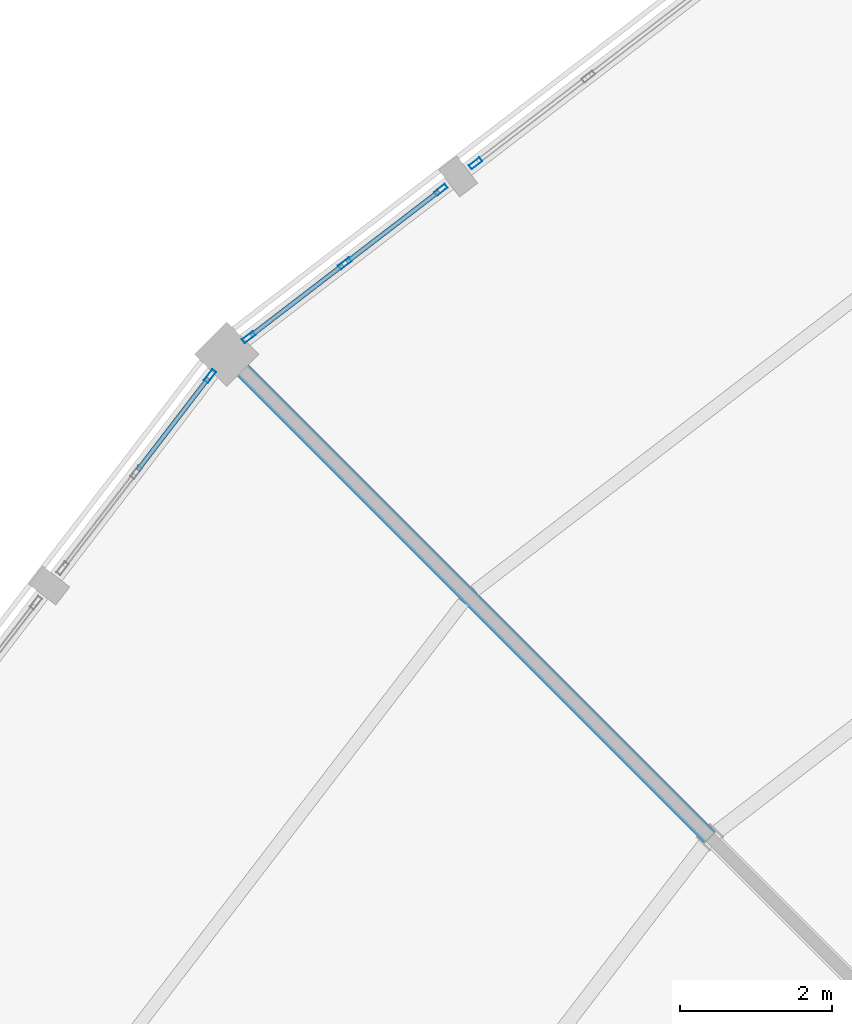
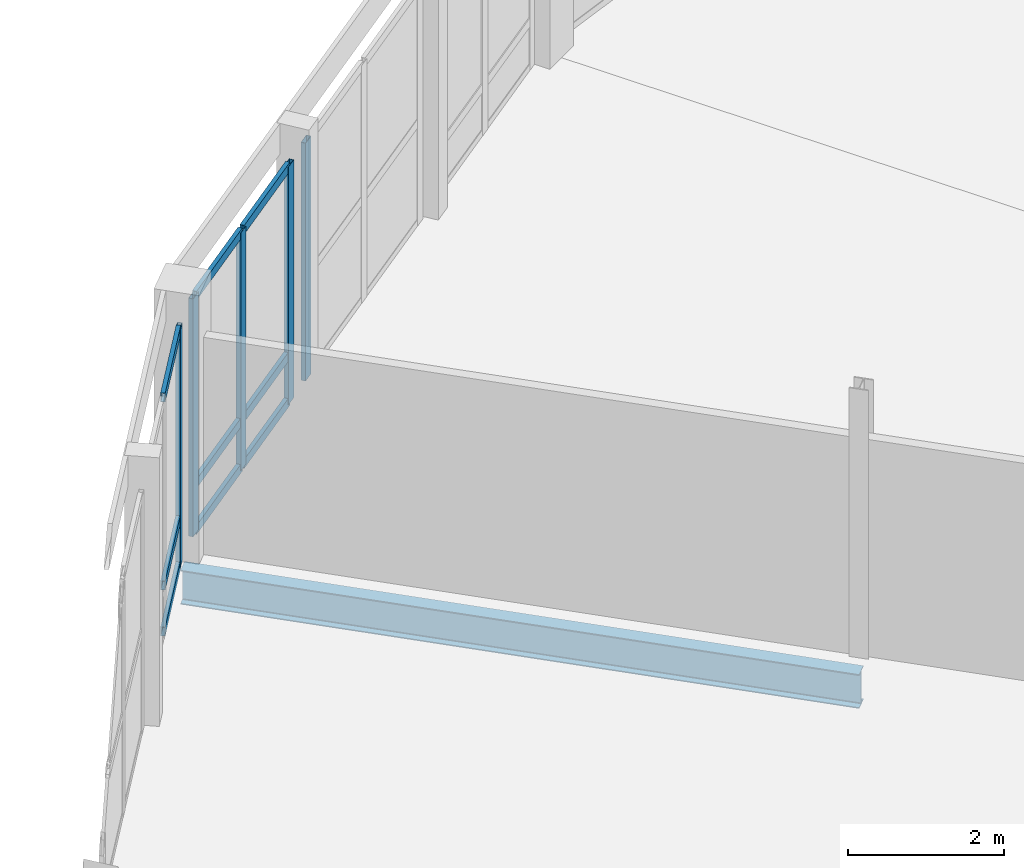
# One storey, part 82 of 185: 14 members, 1 beam, 3 elements without a shape of their own.
"""IFC4 building model written with IfcOpenShell, lengths in metres."""

from ifc_helpers import new_model, si_unit, direction, frame, origin, origin_2d, place, context, subcontext, project, spatial, hollow_rectangle, i_section, extrude, material, material_profile, profile_set, type_object, element, aggregate, save


model = new_model("IFC4")

# Units and contexts
model_context = context("Model", 3, precision=1e-05, world=origin(), true_north=direction((0.0, 1.0)))
body_context = subcontext(model_context, "Body", "Model", "MODEL_VIEW")
ifc_project = project(units=[si_unit("LENGTHUNIT", "METRE"), si_unit("AREAUNIT", "SQUARE_METRE"), si_unit("VOLUMEUNIT", "CUBIC_METRE"), si_unit("PLANEANGLEUNIT", "RADIAN"), si_unit("MASSUNIT", "GRAM", prefix="KILO")], contexts=[model_context])

# Site, building, storey
site_placement = place(None, origin())
site = spatial("IfcSite", under=ifc_project, at=site_placement, CompositionType="ELEMENT")
building_placement = place(site_placement, origin())
building = spatial("IfcBuilding", under=site, at=building_placement, Name="Vondelvale Polytechnic", CompositionType="ELEMENT")
storey_placement = place(building_placement, frame((0.0, 0.0, 9.60009765625)))
storey = spatial("IfcBuildingStorey", under=building, at=storey_placement, Name="L02", CompositionType="ELEMENT", Elevation=9.60009765625)

# Beam
ifc_material_1 = material(Name="Steel 300PLUS (fy = 300 MPa)", Category="steel")
ifc_material_profile_1 = material_profile(ifc_material_1, i_section(OverallWidth=0.208984375, OverallDepth=0.532958984375, WebThickness=0.01025390625, FlangeThickness=0.015625, FilletRadius=0.013916015625, at=origin_2d()), Name="530UB92.4")
ifc_profile_set_1 = profile_set([ifc_material_profile_1], Name="Steel 300PLUS (fy = 300 MPa)")
beam_type = type_object("IfcBeamType", Name="BM-UB530", PredefinedType="BEAM", material=ifc_profile_set_1)
beam_placement = place(storey_placement, frame((75.8369140625, 98.1630859375, -0.546630859375), z_axis=(-0.707106781187, 0.707106781187, 0.0), x_axis=(-0.707106781187, -0.707106781187, 0.0)))
element("IfcBeam", 1, at=beam_placement, inside=storey, type_object=beam_type, Name="L02 RG B-11", PredefinedType="BEAM", context=body_context, shape_type="SweptSolid", body=[
    extrude(i_section(OverallWidth=0.208984375, OverallDepth=0.532958984375, WebThickness=0.01025390625, FlangeThickness=0.015625, FilletRadius=0.013916015625, at=origin_2d()), origin(), (0.0, 0.0, 1.0), 8.999755859375),
])

# Curtain wall, member
ifc_material_2 = material(Name="Glulam GL18 structural Tasmanian oak (fb = 42 MPa)", Category="wood")
curtain_wall_type = type_object("IfcCurtainWallType", Name="CW-RING-OUTER", PredefinedType="NOTDEFINED", material=ifc_material_2)
curtain_wall_1_placement = place(storey_placement, origin())
curtain_wall_1 = element("IfcCurtainWall", 2, at=curtain_wall_1_placement, inside=storey, type_object=curtain_wall_type, Name="L02 architectural curtain wall CW-04-200", PredefinedType="NOTDEFINED")
ifc_material_3 = material(Name="Anodised extruded aluminium 6063-T6", Category="aluminium")
ifc_material_profile_2 = material_profile(ifc_material_3, hollow_rectangle(XDim=0.06494140625, YDim=0.179931640625, WallThickness=0.00390625, at=origin_2d()), Name="CW-MUL-180x65")
ifc_profile_set_2 = profile_set([ifc_material_profile_2], Name="Anodised extruded aluminium 6063-T6")
member_type_1 = type_object("IfcMemberType", Name="CW-MUL-65x180", PredefinedType="MULLION", material=ifc_profile_set_2)
member_1_placement = place(storey_placement, frame((72.749755859375, 107.041259765625, 0.0), z_axis=(0.0, 0.0, 1.0), x_axis=(0.608771189063, -0.793345851043, 0.0)))
member_1 = element("IfcMember", 3, at=member_1_placement, type_object=member_type_1, Name="CW-04-200 mullion 3", PredefinedType="MULLION", context=body_context, shape_type="SweptSolid", body=[
    extrude(hollow_rectangle(XDim=0.06494140625, YDim=0.179931640625, WallThickness=0.00390625, at=origin_2d()), origin(), (0.0, 0.0, 1.0), 3.719970703125),
])
aggregate(curtain_wall_1, [member_1])

# Curtain wall, members
curtain_wall_2_placement = place(storey_placement, origin())
curtain_wall_2 = element("IfcCurtainWall", 4, at=curtain_wall_2_placement, inside=storey, type_object=curtain_wall_type, Name="L02 architectural curtain wall CW-04-201", PredefinedType="NOTDEFINED")
member_2_placement = place(storey_placement, frame((72.293701171875, 106.691162109375, 0.0), z_axis=(0.0, 0.0, 1.0), x_axis=(0.608786860133, -0.793333825656, 0.0)))
member_2 = element("IfcMember", 5, at=member_2_placement, type_object=member_type_1, Name="CW-04-201 mullion 1", PredefinedType="MULLION", context=body_context, shape_type="SweptSolid", body=[
    extrude(hollow_rectangle(XDim=0.06494140625, YDim=0.179931640625, WallThickness=0.00390625, at=origin_2d()), origin(), (0.0, 0.0, 1.0), 3.719970703125),
])
member_3_placement = place(storey_placement, frame((71.0283203125, 105.72021484375, 0.0), z_axis=(0.0, 0.0, 1.0), x_axis=(0.608786860133, -0.793333825656, 0.0)))
member_3 = element("IfcMember", 6, at=member_3_placement, type_object=member_type_1, Name="CW-04-201 mullion 2", PredefinedType="MULLION", context=body_context, shape_type="SweptSolid", body=[
    extrude(hollow_rectangle(XDim=0.06494140625, YDim=0.179931640625, WallThickness=0.00390625, at=origin_2d()), origin(), (0.0, 0.0, 1.0), 3.719970703125),
])
member_4_placement = place(storey_placement, frame((69.762939453125, 104.749267578125, 0.0), z_axis=(0.0, 0.0, 1.0), x_axis=(0.608786860133, -0.793333825656, 0.0)))
member_4 = element("IfcMember", 7, at=member_4_placement, type_object=member_type_1, Name="CW-04-201 mullion 3", PredefinedType="MULLION", context=body_context, shape_type="SweptSolid", body=[
    extrude(hollow_rectangle(XDim=0.06494140625, YDim=0.179931640625, WallThickness=0.00390625, at=origin_2d()), origin(), (0.0, 0.0, 1.0), 3.719970703125),
])

# Curtain wall, member
curtain_wall_3_placement = place(storey_placement, origin())
curtain_wall_3 = element("IfcCurtainWall", 8, at=curtain_wall_3_placement, inside=storey, type_object=curtain_wall_type, Name="L02 architectural curtain wall CW-04-218", PredefinedType="NOTDEFINED")
member_5_placement = place(storey_placement, frame((69.250732421875, 104.237060546875, 0.0), z_axis=(0.0, 0.0, 1.0), x_axis=(0.793333825656, -0.608786860133, 0.0)))
member_5 = element("IfcMember", 9, at=member_5_placement, type_object=member_type_1, Name="CW-04-218 mullion 1", PredefinedType="MULLION", context=body_context, shape_type="SweptSolid", body=[
    extrude(hollow_rectangle(XDim=0.06494140625, YDim=0.179931640625, WallThickness=0.00390625, at=origin_2d()), origin(), (0.0, 0.0, 1.0), 3.719970703125),
])

# Member
ifc_material_profile_3 = material_profile(ifc_material_3, hollow_rectangle(XDim=0.06005859375, YDim=0.139892578125, WallThickness=0.00341796875, at=origin_2d()), Name="CW-TRN-140x60")
ifc_profile_set_3 = profile_set([ifc_material_profile_3], Name="Anodised extruded aluminium 6063-T6")
member_type_2 = type_object("IfcMemberType", Name="CW-TRN-60x140", PredefinedType="USERDEFINED", material=ifc_profile_set_3)
member_6_placement = place(storey_placement, frame((72.267822265625, 106.67138671875, 0.02978515625), z_axis=(-0.793364883229, -0.608746385664, 0.0), x_axis=(0.608746385664, -0.793364883229, 0.0)))
member_6 = element("IfcMember", 10, at=member_6_placement, type_object=member_type_2, Name="CW-04-201 transom 1.1", ObjectType="TRANSOM", PredefinedType="USERDEFINED", context=body_context, shape_type="SweptSolid", body=[
    extrude(hollow_rectangle(XDim=0.06005859375, YDim=0.139892578125, WallThickness=0.00341796875, at=origin_2d()), origin(), (0.0, 0.0, 1.0), 1.530029296875),
])

member_7_placement = place(storey_placement, frame((72.267822265625, 106.67138671875, 0.75), z_axis=(-0.793364883229, -0.608746385664, 0.0), x_axis=(0.608746385664, -0.793364883229, 0.0)))
member_7 = element("IfcMember", 11, at=member_7_placement, type_object=member_type_2, Name="CW-04-201 transom 1.2", ObjectType="TRANSOM", PredefinedType="USERDEFINED", context=body_context, shape_type="SweptSolid", body=[
    extrude(hollow_rectangle(XDim=0.06005859375, YDim=0.139892578125, WallThickness=0.00341796875, at=origin_2d()), origin(), (0.0, 0.0, 1.0), 1.530029296875),
])

member_8_placement = place(storey_placement, frame((72.267822265625, 106.67138671875, 3.68994140625), z_axis=(-0.793364883229, -0.608746385664, 0.0), x_axis=(0.608746385664, -0.793364883229, 0.0)))
member_8 = element("IfcMember", 12, at=member_8_placement, type_object=member_type_2, Name="CW-04-201 transom 1.3", ObjectType="TRANSOM", PredefinedType="USERDEFINED", context=body_context, shape_type="SweptSolid", body=[
    extrude(hollow_rectangle(XDim=0.06005859375, YDim=0.139892578125, WallThickness=0.00341796875, at=origin_2d()), origin(), (0.0, 0.0, 1.0), 1.530029296875),
])

member_9_placement = place(storey_placement, frame((71.00244140625, 105.700439453125, 0.02978515625), z_axis=(-0.793364883229, -0.608746385664, 0.0), x_axis=(0.608746385664, -0.793364883229, 0.0)))
member_9 = element("IfcMember", 13, at=member_9_placement, type_object=member_type_2, Name="CW-04-201 transom 2.1", ObjectType="TRANSOM", PredefinedType="USERDEFINED", context=body_context, shape_type="SweptSolid", body=[
    extrude(hollow_rectangle(XDim=0.06005859375, YDim=0.139892578125, WallThickness=0.00341796875, at=origin_2d()), origin(), (0.0, 0.0, 1.0), 1.530029296875),
])

member_10_placement = place(storey_placement, frame((71.00244140625, 105.700439453125, 0.75), z_axis=(-0.793364883229, -0.608746385664, 0.0), x_axis=(0.608746385664, -0.793364883229, 0.0)))
member_10 = element("IfcMember", 14, at=member_10_placement, type_object=member_type_2, Name="CW-04-201 transom 2.2", ObjectType="TRANSOM", PredefinedType="USERDEFINED", context=body_context, shape_type="SweptSolid", body=[
    extrude(hollow_rectangle(XDim=0.06005859375, YDim=0.139892578125, WallThickness=0.00341796875, at=origin_2d()), origin(), (0.0, 0.0, 1.0), 1.530029296875),
])

member_11_placement = place(storey_placement, frame((71.00244140625, 105.700439453125, 3.68994140625), z_axis=(-0.793364883229, -0.608746385664, 0.0), x_axis=(0.608746385664, -0.793364883229, 0.0)))
member_11 = element("IfcMember", 15, at=member_11_placement, type_object=member_type_2, Name="CW-04-201 transom 2.3", ObjectType="TRANSOM", PredefinedType="USERDEFINED", context=body_context, shape_type="SweptSolid", body=[
    extrude(hollow_rectangle(XDim=0.06005859375, YDim=0.139892578125, WallThickness=0.00341796875, at=origin_2d()), origin(), (0.0, 0.0, 1.0), 1.530029296875),
])

aggregate(curtain_wall_2, [member_2, member_3, member_4, member_6, member_7, member_8, member_9, member_10, member_11])

member_12_placement = place(storey_placement, frame((69.23095703125, 104.21142578125, 0.02978515625), z_axis=(-0.608746385664, -0.793364883229, 0.0), x_axis=(0.793364883229, -0.608746385664, 0.0)))
member_12 = element("IfcMember", 16, at=member_12_placement, type_object=member_type_2, Name="CW-04-218 transom 1.1", ObjectType="TRANSOM", PredefinedType="USERDEFINED", context=body_context, shape_type="SweptSolid", body=[
    extrude(hollow_rectangle(XDim=0.06005859375, YDim=0.139892578125, WallThickness=0.00341796875, at=origin_2d()), origin(), (0.0, 0.0, 1.0), 1.530029296875),
])

member_13_placement = place(storey_placement, frame((69.23095703125, 104.21142578125, 0.75), z_axis=(-0.608746385664, -0.793364883229, 0.0), x_axis=(0.793364883229, -0.608746385664, 0.0)))
member_13 = element("IfcMember", 17, at=member_13_placement, type_object=member_type_2, Name="CW-04-218 transom 1.2", ObjectType="TRANSOM", PredefinedType="USERDEFINED", context=body_context, shape_type="SweptSolid", body=[
    extrude(hollow_rectangle(XDim=0.06005859375, YDim=0.139892578125, WallThickness=0.00341796875, at=origin_2d()), origin(), (0.0, 0.0, 1.0), 1.530029296875),
])

member_14_placement = place(storey_placement, frame((69.23095703125, 104.21142578125, 3.68994140625), z_axis=(-0.608746385664, -0.793364883229, 0.0), x_axis=(0.793364883229, -0.608746385664, 0.0)))
member_14 = element("IfcMember", 18, at=member_14_placement, type_object=member_type_2, Name="CW-04-218 transom 1.3", ObjectType="TRANSOM", PredefinedType="USERDEFINED", context=body_context, shape_type="SweptSolid", body=[
    extrude(hollow_rectangle(XDim=0.06005859375, YDim=0.139892578125, WallThickness=0.00341796875, at=origin_2d()), origin(), (0.0, 0.0, 1.0), 1.530029296875),
])

aggregate(curtain_wall_3, [member_5, member_12, member_13, member_14])

save(model, "model.ifc")
